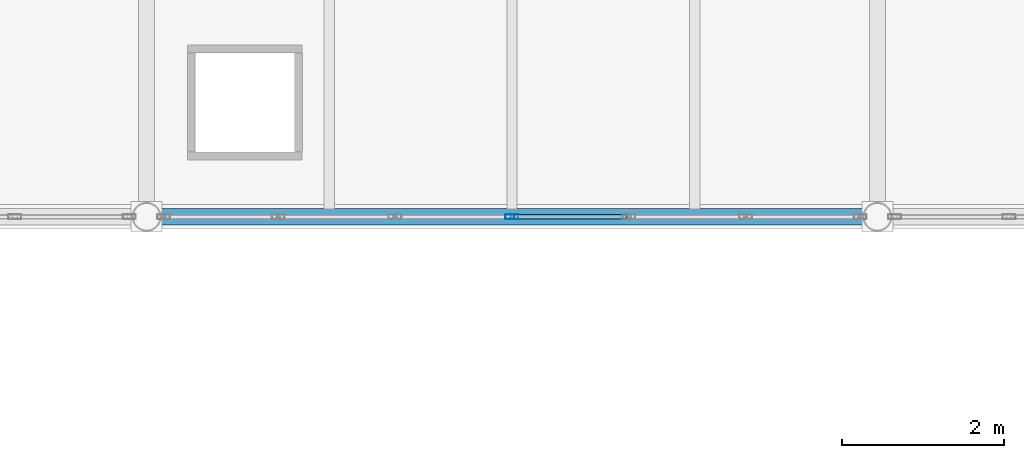
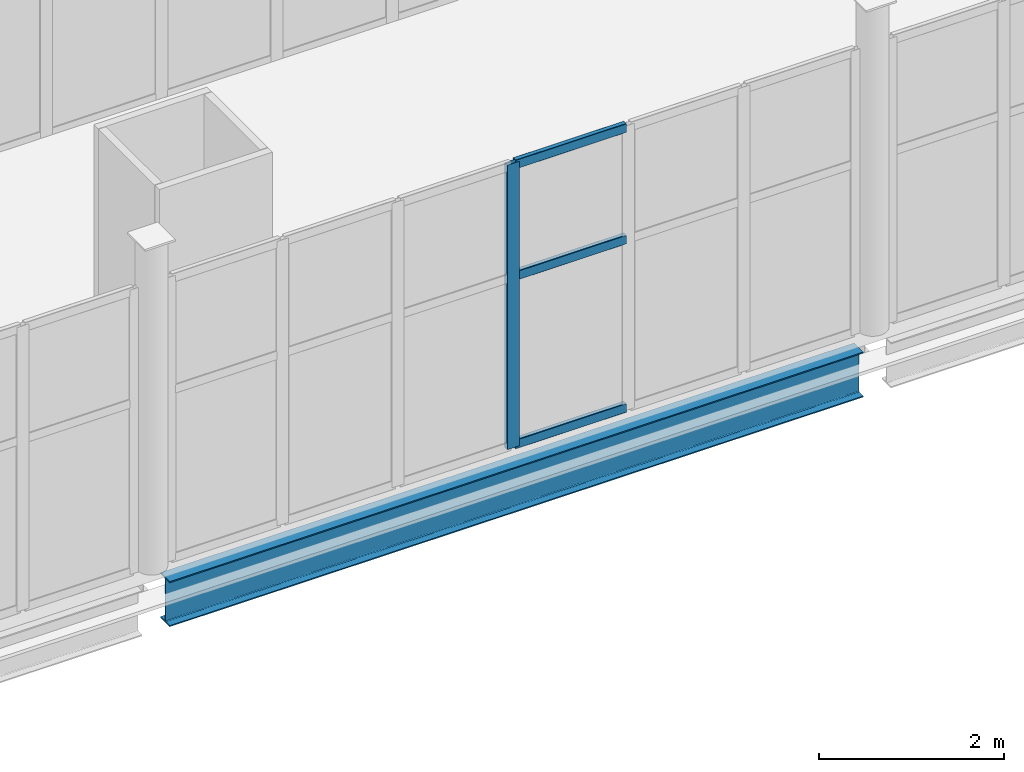
# One storey, part 59 of 172: 4 members, 1 beam, 1 element without a shape of its own.
"""IFC4 building model written with IfcOpenShell, lengths in metres."""

from ifc_helpers import new_model, si_unit, direction, frame, origin, origin_2d, place, context, subcontext, project, spatial, hollow_rectangle, i_section, extrude, material, material_profile, profile_set, type_object, element, aggregate, save


model = new_model("IFC4")

# Units and contexts
model_context = context("Model", 3, precision=1e-05, world=origin(), true_north=direction((0.0, 1.0)))
body_context = subcontext(model_context, "Body", "Model", "MODEL_VIEW")
ifc_project = project(units=[si_unit("LENGTHUNIT", "METRE"), si_unit("AREAUNIT", "SQUARE_METRE"), si_unit("VOLUMEUNIT", "CUBIC_METRE"), si_unit("PLANEANGLEUNIT", "RADIAN"), si_unit("MASSUNIT", "GRAM", prefix="KILO")], contexts=[model_context])

# Site, building, storey
site_placement = place(None, origin())
site = spatial("IfcSite", under=ifc_project, at=site_placement, CompositionType="ELEMENT")
building_placement = place(site_placement, origin())
building = spatial("IfcBuilding", under=site, at=building_placement, Name="Shengluoqiao Park Theatre", CompositionType="ELEMENT")
storey_placement = place(building_placement, frame((0.0, 0.0, 5.39990234375)))
storey = spatial("IfcBuildingStorey", under=building, at=storey_placement, Name="L01", CompositionType="ELEMENT", Elevation=5.39990234375)

# Curtain wall, members
ifc_material_1 = material(Name="Aluminium 6063-T6", Category="aluminium")
curtain_wall_type = type_object("IfcCurtainWallType", Name="ENV-CW-BRIDGE", PredefinedType="NOTDEFINED", material=ifc_material_1)
curtain_wall_placement = place(storey_placement, origin())
curtain_wall = element("IfcCurtainWall", 1, at=curtain_wall_placement, inside=storey, type_object=curtain_wall_type, Name="L01 Curtain Wall CWX-L01-0132", PredefinedType="NOTDEFINED")
ifc_material_profile_1 = material_profile(ifc_material_1, hollow_rectangle(XDim=0.06005859375, YDim=0.159912109375, WallThickness=0.00390625, InnerFilletRadius=0.00390625, OuterFilletRadius=0.008056640625, at=origin_2d()), Name="ALU MULLION 160x60x4")
ifc_profile_set_1 = profile_set([ifc_material_profile_1], Name="Aluminium 6063-T6")
member_type_1 = type_object("IfcMemberType", Name="ENV-MUL-160", PredefinedType="MULLION", material=ifc_profile_set_1)
member_1_placement = place(storey_placement, frame((125.89990234375, 53.199951171875, 0.0), z_axis=(0.0, 0.0, 1.0), x_axis=(0.0, 1.0, 0.0)))
member_1 = element("IfcMember", 2, at=member_1_placement, type_object=member_type_1, Name="CW-03 mullion 4", PredefinedType="MULLION", context=body_context, shape_type="SweptSolid", body=[
    extrude(hollow_rectangle(XDim=0.06005859375, YDim=0.159912109375, WallThickness=0.00390625, InnerFilletRadius=0.00390625, OuterFilletRadius=0.008056640625, at=origin_2d()), origin(), (0.0, 0.0, 1.0), 3.752197265625),
])
ifc_material_profile_2 = material_profile(ifc_material_1, hollow_rectangle(XDim=0.06005859375, YDim=0.1201171875, WallThickness=0.00390625, InnerFilletRadius=0.00390625, OuterFilletRadius=0.008056640625, at=origin_2d()), Name="ALU TRANSOM 120x60x4")
ifc_profile_set_2 = profile_set([ifc_material_profile_2], Name="Aluminium 6063-T6")
member_type_2 = type_object("IfcMemberType", Name="ENV-TRN-120", PredefinedType="USERDEFINED", material=ifc_profile_set_2)
member_2_placement = place(storey_placement, frame((125.929931640625, 53.199951171875, 0.030029296875), z_axis=(1.0, 0.0, 0.0), x_axis=(0.0, 1.0, 0.0)))
member_2 = element("IfcMember", 3, at=member_2_placement, type_object=member_type_2, Name="CW-03 transom 4.1", ObjectType="TRANSOM", PredefinedType="USERDEFINED", context=body_context, shape_type="SweptSolid", body=[
    extrude(hollow_rectangle(XDim=0.06005859375, YDim=0.1201171875, WallThickness=0.00390625, InnerFilletRadius=0.00390625, OuterFilletRadius=0.008056640625, at=origin_2d()), origin(), (0.0, 0.0, 1.0), 1.37939453125),
])
member_3_placement = place(storey_placement, frame((125.929931640625, 53.199951171875, 2.2509765625), z_axis=(1.0, 0.0, 0.0), x_axis=(0.0, 1.0, 0.0)))
member_3 = element("IfcMember", 4, at=member_3_placement, type_object=member_type_2, Name="CW-03 transom 4.2", ObjectType="TRANSOM", PredefinedType="USERDEFINED", context=body_context, shape_type="SweptSolid", body=[
    extrude(hollow_rectangle(XDim=0.06005859375, YDim=0.1201171875, WallThickness=0.00390625, InnerFilletRadius=0.00390625, OuterFilletRadius=0.008056640625, at=origin_2d()), origin(), (0.0, 0.0, 1.0), 1.37939453125),
])
member_4_placement = place(storey_placement, frame((125.929931640625, 53.199951171875, 3.72216796875), z_axis=(1.0, 0.0, 0.0), x_axis=(0.0, 1.0, 0.0)))
member_4 = element("IfcMember", 5, at=member_4_placement, type_object=member_type_2, Name="CW-03 transom 4.3", ObjectType="TRANSOM", PredefinedType="USERDEFINED", context=body_context, shape_type="SweptSolid", body=[
    extrude(hollow_rectangle(XDim=0.06005859375, YDim=0.1201171875, WallThickness=0.00390625, InnerFilletRadius=0.00390625, OuterFilletRadius=0.008056640625, at=origin_2d()), origin(), (0.0, 0.0, 1.0), 1.37939453125),
])
aggregate(curtain_wall, [member_1, member_2, member_3, member_4])

# Beam
ifc_material_2 = material(Name="Steel Q355", Category="steel")
ifc_material_profile_3 = material_profile(ifc_material_2, i_section(OverallWidth=0.198974609375, OverallDepth=0.595947265625, WebThickness=0.010009765625, FlangeThickness=0.014892578125, FilletRadius=0.02001953125, at=origin_2d()), Name="HN 596x199x10x15")
ifc_profile_set_3 = profile_set([ifc_material_profile_3], Name="Steel Q355")
beam_type = type_object("IfcBeamType", Name="STR-BM-SP-HN596", PredefinedType="SPANDREL", material=ifc_profile_set_3)
beam_placement = place(storey_placement, frame((121.572021484375, 53.199951171875, -0.5078125), z_axis=(1.0, 0.0, 0.0), x_axis=(0.0, 1.0, 0.0)))
element("IfcBeam", 6, at=beam_placement, inside=storey, type_object=beam_type, Name="L01 Primary Girder 00570", PredefinedType="SPANDREL", context=body_context, shape_type="SweptSolid", body=[
    extrude(i_section(OverallWidth=0.198974609375, OverallDepth=0.595947265625, WebThickness=0.010009765625, FlangeThickness=0.014892578125, FilletRadius=0.02001953125, at=origin_2d()), origin(), (0.0, 0.0, 1.0), 8.656005859375),
])

save(model, "model.ifc")
